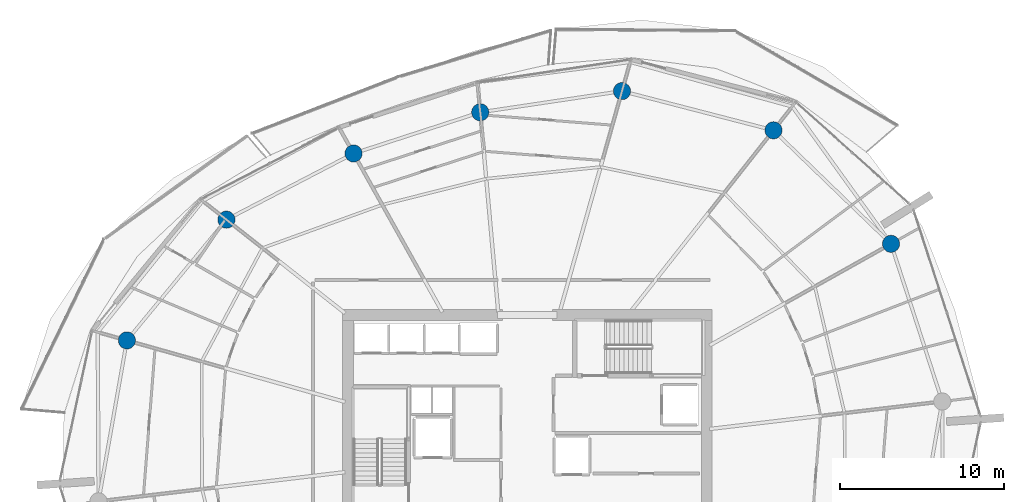
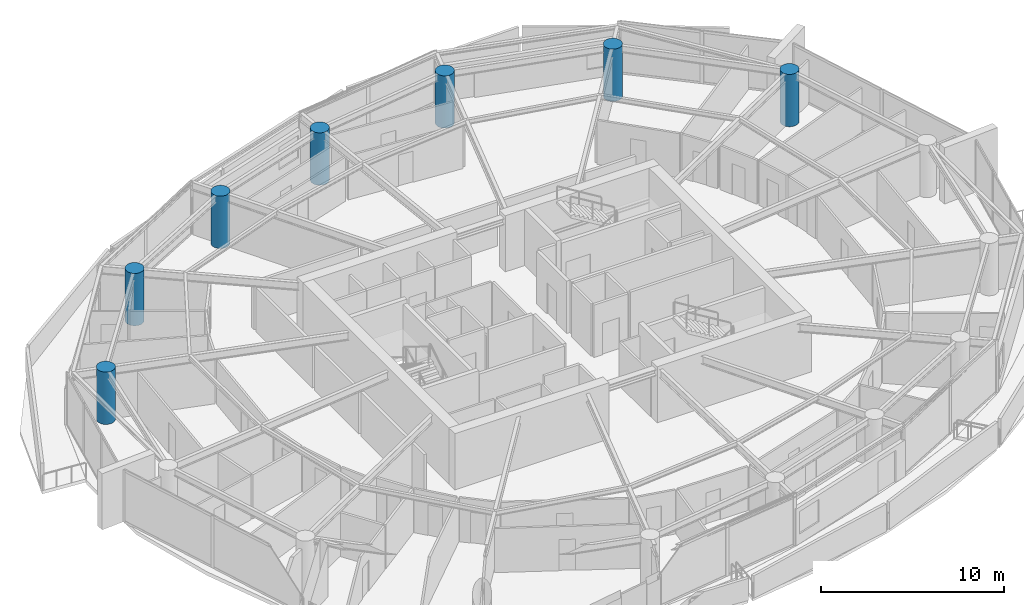
# One storey, part 4 of 21: 7 columns.
"""IFC4 building model written with IfcOpenShell, lengths in metres."""

from ifc_helpers import new_model, si_unit, direction, frame, origin, origin_2d, place, context, subcontext, project, spatial, circle, extrude, material, material_profile, profile_set, type_object, element, save


model = new_model("IFC4")

# Units and contexts
model_context = context("Model", 3, precision=1e-05, world=origin(), true_north=direction((0.0, 1.0)))
body_context = subcontext(model_context, "Body", "Model", "MODEL_VIEW")
ifc_project = project(units=[si_unit("LENGTHUNIT", "METRE"), si_unit("AREAUNIT", "SQUARE_METRE"), si_unit("VOLUMEUNIT", "CUBIC_METRE"), si_unit("PLANEANGLEUNIT", "RADIAN"), si_unit("MASSUNIT", "GRAM", prefix="KILO")], contexts=[model_context])

# Site, building, storey
site_placement = place(None, origin())
site = spatial("IfcSite", under=ifc_project, at=site_placement, CompositionType="ELEMENT")
building_placement = place(site_placement, origin())
building = spatial("IfcBuilding", under=site, at=building_placement, Name="Kazma Halo Residences", CompositionType="ELEMENT")
storey_placement = place(building_placement, frame((0.0, 0.0, 195.300048828125)))
storey = spatial("IfcBuildingStorey", under=building, at=storey_placement, Name="L49", CompositionType="ELEMENT", Elevation=195.300048828125)

# Columns
ifc_material = material(Name="Concrete C80/95", Category="concrete")
ifc_material_profile = material_profile(ifc_material, circle(Radius=0.52490234375, at=origin_2d()), Name="CIRC1050")
ifc_profile_set = profile_set([ifc_material_profile], Name="Concrete C80/95")
column_type = type_object("IfcColumnType", Name="COL-PERIM-1050", PredefinedType="COLUMN", material=ifc_profile_set)
for number, where, z_axis, x_axis, name in (
    (1, (70.625, 54.670654296875, 0.0), (0.0, 0.0, 1.0), (1.0, 0.0, 0.0), "L49 perimeter ring column P01"),
    (2, (63.45068359375, 61.598876953125, 0.0), (0.0, 0.0, 1.0), (1.0, 0.0, 0.0), "L49 perimeter ring column P02"),
    (3, (54.202392578125, 63.99169921875, 0.0), (0.0, 0.0, 1.0), (1.0, 0.0, 0.0), "L49 perimeter ring column P03"),
    (4, (45.550048828125, 62.69970703125, 0.0), (0.0, 0.0, 1.0), (1.0, 0.0, 0.0), "L49 perimeter ring column P04"),
    (5, (37.815185546875, 60.186279296875, 0.0), (0.0, 0.0, 1.0), (1.0, 0.0, 0.0), "L49 perimeter ring column P05"),
    (6, (30.055908203125, 56.14599609375, 0.0), (0.0, 0.0, 1.0), (1.0, 0.0, 0.0), "L49 perimeter ring column P06"),
    (7, (23.980224609375, 48.7744140625, 0.0), (0.0, 0.0, 1.0), (1.0, 0.0, 0.0), "L49 perimeter ring column P07"),
):
    element("IfcColumn", number, at=place(storey_placement, frame(where, z_axis=z_axis, x_axis=x_axis)), inside=storey, type_object=column_type, Name=name, PredefinedType="COLUMN", context=body_context, shape_type="SweptSolid", body=[
        extrude(circle(Radius=0.52490234375, at=origin_2d()), origin(), (0.0, 0.0, 1.0), 3.5),
    ])

save(model, "model.ifc")
